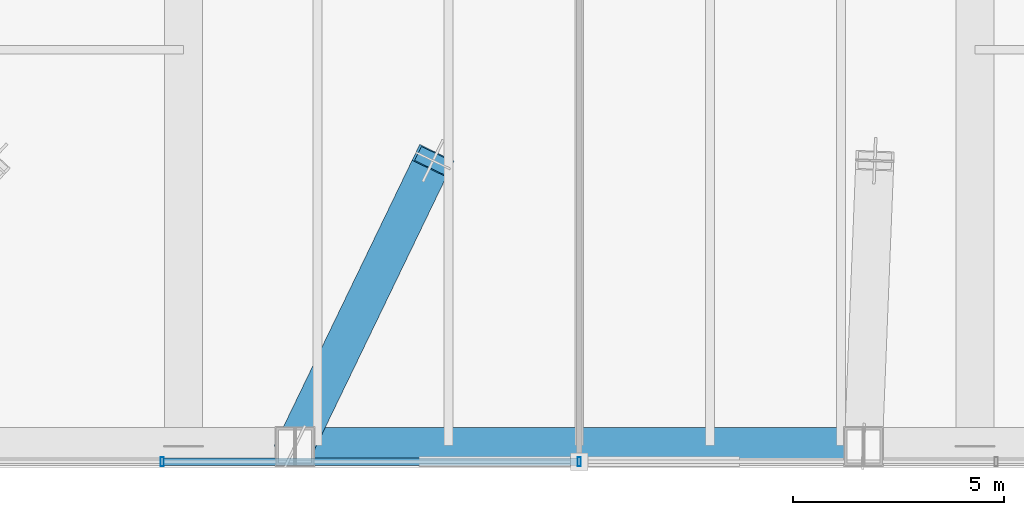
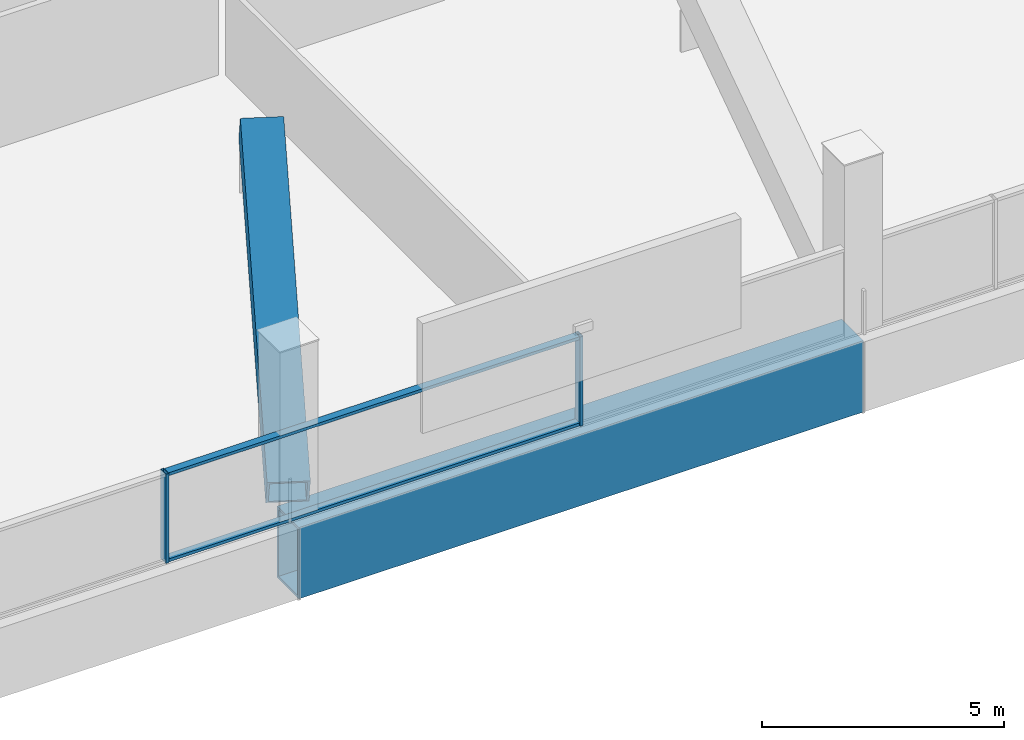
# One storey, part 4 of 38: 5 members, 1 beam, 1 element without a shape of its own.
"""IFC4 building model written with IfcOpenShell, lengths in metres."""

from ifc_helpers import new_model, si_unit, direction, frame, origin, origin_2d, place, context, subcontext, project, spatial, hollow_rectangle, extrude, material, layer, layer_set, material_profile, profile_set, type_object, element, aggregate, save


model = new_model("IFC4")

# Units and contexts
model_context = context("Model", 3, precision=1e-05, world=origin(), true_north=direction((0.0, 1.0)))
body_context = subcontext(model_context, "Body", "Model", "MODEL_VIEW")
ifc_project = project(units=[si_unit("LENGTHUNIT", "METRE"), si_unit("AREAUNIT", "SQUARE_METRE"), si_unit("VOLUMEUNIT", "CUBIC_METRE"), si_unit("PLANEANGLEUNIT", "RADIAN"), si_unit("MASSUNIT", "GRAM", prefix="KILO")], contexts=[model_context])

# Site, building, storey
site_placement = place(None, origin())
site = spatial("IfcSite", under=ifc_project, at=site_placement, CompositionType="ELEMENT")
building_placement = place(site_placement, origin())
building = spatial("IfcBuilding", under=site, at=building_placement, Name="Qhalaya Broadcast Tower", CompositionType="ELEMENT")
storey_placement = place(building_placement, frame((0.0, 0.0, 53.550048828125)))
storey = spatial("IfcBuildingStorey", under=building, at=storey_placement, Name="L15", CompositionType="ELEMENT", Elevation=53.550048828125)

# Beam
ifc_material_1 = material(Name="Structural Steel ASTM A572 Grade 50", Category="steel")
ifc_material_profile_1 = material_profile(ifc_material_1, hollow_rectangle(XDim=0.89990234375, YDim=1.800048828125, WallThickness=0.06005859375, at=origin_2d()), Name="BOX 900x1800x60")
ifc_profile_set_1 = profile_set([ifc_material_profile_1], Name="Structural Steel ASTM A572 Grade 50")
beam_type = type_object("IfcBeamType", Name="Block Cantilever Transfer Box Girder TG1", PredefinedType="USERDEFINED", material=ifc_profile_set_1)
beam_placement = place(storey_placement, frame((-6.7333984375, -25.89990234375, -1.1201171875), z_axis=(1.0, 0.0, 0.0), x_axis=(0.0, 1.0, 0.0)))
element("IfcBeam", 1, at=beam_placement, inside=storey, type_object=beam_type, Name="L15 TG1 L15-SPR-02", ObjectType="GIRDER", PredefinedType="USERDEFINED", context=body_context, shape_type="SweptSolid", body=[
    extrude(hollow_rectangle(XDim=0.89990234375, YDim=1.800048828125, WallThickness=0.06005859375, at=origin_2d()), origin(), (0.0, 0.0, 1.0), 13.466796875),
])

# Member
ifc_material_profile_2 = material_profile(ifc_material_1, hollow_rectangle(XDim=0.89990234375, YDim=0.89990234375, WallThickness=0.054931640625, at=origin_2d()), Name="BOX 900x900x55")
ifc_profile_set_2 = profile_set([ifc_material_profile_2], Name="Structural Steel ASTM A572 Grade 50")
member_type_1 = type_object("IfcMemberType", Name="Heavy Exoskeleton Transfer Strut RK1", PredefinedType="BRACE", material=ifc_profile_set_2)
member_1_placement = place(storey_placement, frame((-6.7333984375, -25.89990234375, 0.408447265625), z_axis=(0.385212684834, 0.797517377217, 0.464302940418), x_axis=(-0.900461307799, 0.434936125375, 0.0)))
element("IfcMember", 2, at=member_1_placement, inside=storey, type_object=member_type_1, Name="L15 Inclined Exoskeleton Transfer Strut 02", PredefinedType="BRACE", context=body_context, shape_type="SweptSolid", body=[
    extrude(hollow_rectangle(XDim=0.89990234375, YDim=0.89990234375, WallThickness=0.054931640625, at=origin_2d()), origin(), (0.0, 0.0, 1.0), 8.48876953125),
])

# Curtain wall, members
ifc_material_2 = material(Name="Fired Architectural Terracotta", Category="masonry")
ifc_layer = layer(ifc_material_2, 0.219970703125, Name="Fired Architectural Terracotta")
ifc_layer_set = layer_set([ifc_layer], Name="Fired Architectural Terracotta")
curtain_wall_type = type_object("IfcCurtainWallType", Name="Block-Cap Unitised Terracotta Spandrel Wall CW-07", PredefinedType="NOTDEFINED", material=ifc_layer_set)
curtain_wall_placement = place(storey_placement, origin())
curtain_wall = element("IfcCurtainWall", 3, at=curtain_wall_placement, inside=storey, type_object=curtain_wall_type, Name="L15 Unitised Curtain Wall L15-CW-S", PredefinedType="NOTDEFINED")
ifc_material_3 = material(Name="Anodised Aluminium 6063-T6", Category="aluminium")
ifc_material_profile_3 = material_profile(ifc_material_3, hollow_rectangle(XDim=0.074951171875, YDim=0.219970703125, WallThickness=0.00390625, at=origin_2d()), Name="ALU-MUL 75x220x4")
ifc_profile_set_3 = profile_set([ifc_material_profile_3], Name="Anodised Aluminium 6063-T6")
member_type_2 = type_object("IfcMemberType", Name="Unitised Curtain-Wall Mullion M01", PredefinedType="MULLION", material=ifc_profile_set_3)
member_2_placement = place(storey_placement, frame((0.0, -26.260009765625, 0.0), z_axis=(0.0, 0.0, 1.0), x_axis=(-1.0, 0.0, 0.0)))
member_2 = element("IfcMember", 4, at=member_2_placement, type_object=member_type_2, Name="CW-07 mullion 3", PredefinedType="MULLION", context=body_context, shape_type="SweptSolid", body=[
    extrude(hollow_rectangle(XDim=0.074951171875, YDim=0.219970703125, WallThickness=0.00390625, at=origin_2d()), origin(), (0.0, 0.0, 1.0), 2.25),
])
member_3_placement = place(storey_placement, frame((-9.881103515625, -26.260009765625, 0.0), z_axis=(0.0, 0.0, 1.0), x_axis=(-1.0, 0.0, 0.0)))
member_3 = element("IfcMember", 5, at=member_3_placement, type_object=member_type_2, Name="CW-07 mullion 4", PredefinedType="MULLION", context=body_context, shape_type="SweptSolid", body=[
    extrude(hollow_rectangle(XDim=0.074951171875, YDim=0.219970703125, WallThickness=0.00390625, at=origin_2d()), origin(), (0.0, 0.0, 1.0), 2.25),
])
ifc_material_profile_4 = material_profile(ifc_material_3, hollow_rectangle(XDim=0.074951171875, YDim=0.179931640625, WallThickness=0.00390625, at=origin_2d()), Name="ALU-TRN 75x180x4")
ifc_profile_set_4 = profile_set([ifc_material_profile_4], Name="Anodised Aluminium 6063-T6")
member_type_3 = type_object("IfcMemberType", Name="Unitised Curtain-Wall Transom T01", PredefinedType="USERDEFINED", material=ifc_profile_set_4)
member_4_placement = place(storey_placement, frame((-0.03759765625, -26.260009765625, 0.037353515625), z_axis=(-1.0, 0.0, 0.0), x_axis=(0.0, 0.0, 1.0)))
member_4 = element("IfcMember", 6, at=member_4_placement, type_object=member_type_3, Name="CW-07 transom 3.1", ObjectType="TRANSOM", PredefinedType="USERDEFINED", context=body_context, shape_type="SweptSolid", body=[
    extrude(hollow_rectangle(XDim=0.074951171875, YDim=0.179931640625, WallThickness=0.00390625, at=origin_2d()), origin(), (0.0, 0.0, 1.0), 9.805908203125),
])
member_5_placement = place(storey_placement, frame((-0.03759765625, -26.260009765625, 2.21240234375), z_axis=(-1.0, 0.0, 0.0), x_axis=(0.0, 0.0, 1.0)))
member_5 = element("IfcMember", 7, at=member_5_placement, type_object=member_type_3, Name="CW-07 transom 3.2", ObjectType="TRANSOM", PredefinedType="USERDEFINED", context=body_context, shape_type="SweptSolid", body=[
    extrude(hollow_rectangle(XDim=0.074951171875, YDim=0.179931640625, WallThickness=0.00390625, at=origin_2d()), origin(), (0.0, 0.0, 1.0), 9.805908203125),
])
aggregate(curtain_wall, [member_2, member_3, member_4, member_5])

save(model, "model.ifc")
